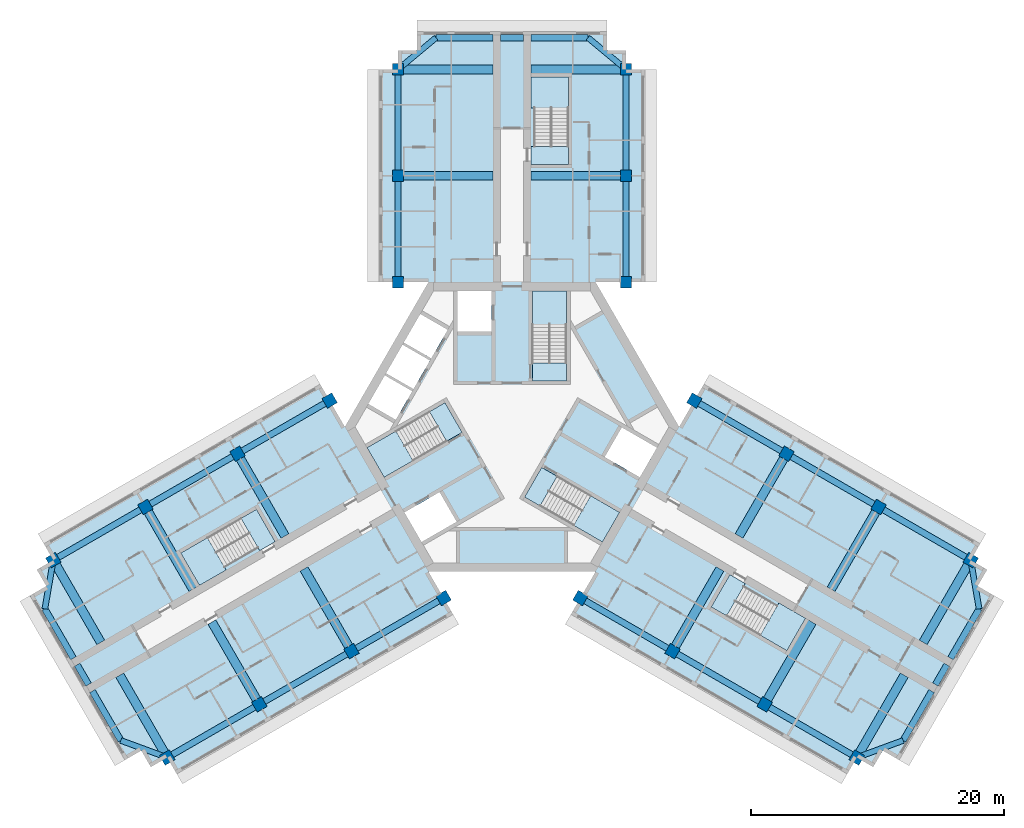
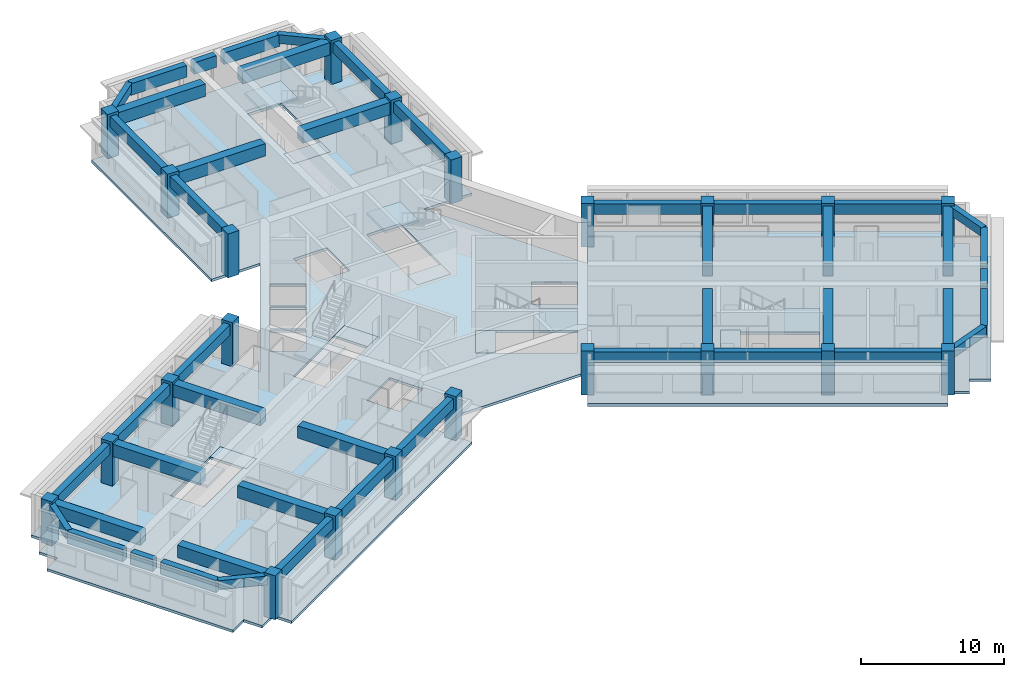
# One storey, part 1 of 11: 47 beams, 22 columns, 13 slabs, 6 elements without a shape of their own.
"""IFC4 building model written with IfcOpenShell, lengths in metres."""

from ifc_helpers import new_model, si_unit, direction, frame, origin, origin_2d, place, context, subcontext, project, spatial, polyline, rectangle, outline, extrude, material, layer, layer_set, material_profile, profile_set, type_object, element, aggregate, save


model = new_model("IFC4")

# Units and contexts
model_context = context("Model", 3, precision=1e-05, world=origin(), true_north=direction((0.0, 1.0)))
body_context = subcontext(model_context, "Body", "Model", "MODEL_VIEW")
ifc_project = project(units=[si_unit("LENGTHUNIT", "METRE"), si_unit("AREAUNIT", "SQUARE_METRE"), si_unit("VOLUMEUNIT", "CUBIC_METRE"), si_unit("PLANEANGLEUNIT", "RADIAN"), si_unit("MASSUNIT", "GRAM", prefix="KILO")], contexts=[model_context])

# Site, building, storey
site_placement = place(None, origin())
site = spatial("IfcSite", under=ifc_project, at=site_placement, CompositionType="ELEMENT")
building_placement = place(site_placement, origin())
building = spatial("IfcBuilding", under=site, at=building_placement, Name="Impinga Residences", CompositionType="ELEMENT")
storey_placement = place(building_placement, frame((0.0, 0.0, 199.75)))
storey = spatial("IfcBuildingStorey", under=building, at=storey_placement, Name="L49", CompositionType="ELEMENT", Elevation=199.75)

# Columns
ifc_material_1 = material(Name="Concrete C60/75", Category="concrete")
ifc_material_profile_1 = material_profile(ifc_material_1, rectangle(XDim=0.89990234375, YDim=0.89990234375, at=origin_2d()), Name="RC 900x900")
ifc_profile_set_1 = profile_set([ifc_material_profile_1], Name="Concrete C60/75")
column_type = type_object("IfcColumnType", Name="C4 900x900 column", PredefinedType="COLUMN", material=ifc_profile_set_1)
for number, where, z_axis, x_axis, name in (
    (1, (-9.0, 11.431640625, 0.0), (0.0, 0.0, 1.0), (1.0, 0.0, 0.0), "Column C4 N1/NA L49"),
    (2, (9.0, 11.431640625, 0.0), (0.0, 0.0, 1.0), (1.0, 0.0, 0.0), "Column C4 N1/NF L49"),
    (3, (-9.0, 19.83154296875, 0.0), (0.0, 0.0, 1.0), (1.0, 0.0, 0.0), "Column C4 N2/NA L49"),
    (4, (9.0, 19.83154296875, 0.0), (0.0, 0.0, 1.0), (1.0, 0.0, 0.0), "Column C4 N2/NF L49"),
    (5, (-9.0, 28.2314453125, 0.0), (0.0, 0.0, 1.0), (1.0, 0.0, 0.0), "Column C4 N3/NA L49"),
    (6, (9.0, 28.2314453125, 0.0), (0.0, 0.0, 1.0), (1.0, 0.0, 0.0), "Column C4 N3/NF L49"),
    (7, (-5.39990234375, -13.510009765625, 0.0), (0.0, 0.0, 1.0), (-0.5, 0.866025403784, 0.0), "Column C4 W1/WA L49"),
    (8, (-14.39990234375, 2.078369140625, 0.0), (0.0, 0.0, 1.0), (-0.5, 0.866025403784, 0.0), "Column C4 W1/WF L49"),
    (9, (-12.674560546875, -17.7099609375, 0.0), (0.0, 0.0, 1.0), (-0.5, 0.866025403784, 0.0), "Column C4 W2/WA L49"),
    (10, (-21.674560546875, -2.12158203125, 0.0), (0.0, 0.0, 1.0), (-0.5, 0.866025403784, 0.0), "Column C4 W2/WF L49"),
    (11, (-19.94921875, -21.909912109375, 0.0), (0.0, 0.0, 1.0), (-0.5, 0.866025403784, 0.0), "Column C4 W3/WA L49"),
    (12, (-28.94921875, -6.321533203125, 0.0), (0.0, 0.0, 1.0), (-0.5, 0.866025403784, 0.0), "Column C4 W3/WF L49"),
    (13, (-27.223876953125, -26.110107421875, 0.0), (0.0, 0.0, 1.0), (-0.5, 0.866025403784, 0.0), "Column C4 W4/WA L49"),
    (14, (-36.223876953125, -10.521484375, 0.0), (0.0, 0.0, 1.0), (-0.5, 0.866025403784, 0.0), "Column C4 W4/WF L49"),
    (15, (14.39990234375, 2.078369140625, 0.0), (0.0, 0.0, 1.0), (-0.5, -0.866025403784, 0.0), "Column C4 E1/EA L49"),
    (16, (5.39990234375, -13.510009765625, 0.0), (0.0, 0.0, 1.0), (-0.5, -0.866025403784, 0.0), "Column C4 E1/EF L49"),
    (17, (21.674560546875, -2.12158203125, 0.0), (0.0, 0.0, 1.0), (-0.5, -0.866025403784, 0.0), "Column C4 E2/EA L49"),
    (18, (12.674560546875, -17.7099609375, 0.0), (0.0, 0.0, 1.0), (-0.5, -0.866025403784, 0.0), "Column C4 E2/EF L49"),
    (19, (28.94921875, -6.321533203125, 0.0), (0.0, 0.0, 1.0), (-0.5, -0.866025403784, 0.0), "Column C4 E3/EA L49"),
    (20, (19.94921875, -21.909912109375, 0.0), (0.0, 0.0, 1.0), (-0.5, -0.866025403784, 0.0), "Column C4 E3/EF L49"),
    (21, (36.223876953125, -10.521484375, 0.0), (0.0, 0.0, 1.0), (-0.5, -0.866025403784, 0.0), "Column C4 E4/EA L49"),
    (22, (27.223876953125, -26.110107421875, 0.0), (0.0, 0.0, 1.0), (-0.5, -0.866025403784, 0.0), "Column C4 E4/EF L49"),
):
    element("IfcColumn", number, at=place(storey_placement, frame(where, z_axis=z_axis, x_axis=x_axis)), inside=storey, type_object=column_type, Name=name, PredefinedType="COLUMN", context=body_context, shape_type="SweptSolid", body=[
        extrude(rectangle(XDim=0.89990234375, YDim=0.89990234375, at=origin_2d()), origin(), (0.0, 0.0, 1.0), 3.75),
    ])

# Beams
ifc_material_profile_2 = material_profile(ifc_material_1, rectangle(XDim=0.449951171875, YDim=0.75, at=origin_2d()), Name="RC 450x750")
ifc_profile_set_2 = profile_set([ifc_material_profile_2], Name="Concrete C60/75")
beam_type_1 = type_object("IfcBeamType", Name="CB1 450x750 wing end cantilever beam", PredefinedType="BEAM", material=ifc_profile_set_2)
for number, where, z_axis, x_axis, name in (
    (23, (-9.0, 28.2314453125, 3.155029296875), (0.768221279597, 0.640184399664, 0.0), (-0.640184399664, 0.768221279597, 0.0), "Beam CB1 NB N3-NX level L50"),
    (24, (9.0, 28.2314453125, 3.155029296875), (-0.768221279597, 0.640184399664, 0.0), (-0.640184399664, -0.768221279597, 0.0), "Beam CB1 NE N3-NX level L50"),
    (25, (-27.223876953125, -26.110107421875, 3.155029296875), (-0.938520178725, 0.345224382289, 0.0), (-0.345224382289, -0.938520178725, 0.0), "Beam CB1 WB W4-WX level L50"),
):
    element("IfcBeam", number, at=place(storey_placement, frame(where, z_axis=z_axis, x_axis=x_axis)), inside=storey, type_object=beam_type_1, Name=name, PredefinedType="BEAM", context=body_context, shape_type="SweptSolid", body=[
        extrude(rectangle(XDim=0.449951171875, YDim=0.75, at=origin_2d()), origin(), (0.0, 0.0, 1.0), 3.905029296875),
    ])
for number, where, z_axis, x_axis, name in (
    (26, (-36.223876953125, -10.521484375, 3.155029296875), (-0.170296298948, -0.985392901621, 0.0), (0.985392901621, -0.170296298948, 0.0), "Beam CB1 WE W4-WX level L50"),
    (27, (36.223876953125, -10.521484375, 3.155029296875), (0.170296298948, -0.985392901621, 0.0), (0.985392901621, 0.170296298948, 0.0), "Beam CB1 EB E4-EX level L50"),
):
    element("IfcBeam", number, at=place(storey_placement, frame(where, z_axis=z_axis, x_axis=x_axis)), inside=storey, type_object=beam_type_1, Name=name, PredefinedType="BEAM", context=body_context, shape_type="SweptSolid", body=[
        extrude(rectangle(XDim=0.449951171875, YDim=0.75, at=origin_2d()), origin(), (0.0, 0.0, 1.0), 3.9052734375),
    ])
beam_1_placement = place(storey_placement, frame((27.223876953125, -26.110107421875, 3.155029296875), z_axis=(0.938520178725, 0.345224382289, 0.0), x_axis=(-0.345224382289, 0.938520178725, 0.0)))
element("IfcBeam", 28, at=beam_1_placement, inside=storey, type_object=beam_type_1, Name="Beam CB1 EE E4-EX level L50", PredefinedType="BEAM", context=body_context, shape_type="SweptSolid", body=[
    extrude(rectangle(XDim=0.449951171875, YDim=0.75, at=origin_2d()), origin(), (0.0, 0.0, 1.0), 3.905029296875),
])
ifc_material_profile_3 = material_profile(ifc_material_1, rectangle(XDim=0.699951171875, YDim=1.050048828125, at=origin_2d()), Name="RC 700x1050")
ifc_profile_set_3 = profile_set([ifc_material_profile_3], Name="Concrete C60/75")
beam_type_2 = type_object("IfcBeamType", Name="CG1 700x1050 cross girder on a wing bay line", PredefinedType="BEAM", material=ifc_profile_set_3)
for number, where, z_axis, x_axis, name in (
    (29, (-1.5, 19.83154296875, 3.0048828125), (-1.0, 0.0, 0.0), (0.0, -1.0, 0.0), "Beam CG1 N2 NC/NA level L50"),
    (30, (-1.5, 28.2314453125, 3.0048828125), (-1.0, 0.0, 0.0), (0.0, -1.0, 0.0), "Beam CG1 N3 NC/NA level L50"),
    (31, (1.5, 19.83154296875, 3.0048828125), (1.0, 0.0, 0.0), (0.0, 1.0, 0.0), "Beam CG1 N2 NC/NF level L50"),
    (32, (1.5, 28.2314453125, 3.0048828125), (1.0, 0.0, 0.0), (0.0, 1.0, 0.0), "Beam CG1 N3 NC/NF level L50"),
    (33, (-16.424560546875, -11.21484375, 3.0048828125), (0.500004234368, -0.866022959057, 0.0), (0.866022959057, 0.500004234368, 0.0), "Beam CG1 W2 WC/WA level L50"),
    (34, (-23.69921875, -15.414794921875, 3.0048828125), (0.500004234368, -0.866022959057, 0.0), (0.866022959057, 0.500004234368, 0.0), "Beam CG1 W3 WC/WA level L50"),
):
    element("IfcBeam", number, at=place(storey_placement, frame(where, z_axis=z_axis, x_axis=x_axis)), inside=storey, type_object=beam_type_2, Name=name, PredefinedType="BEAM", context=body_context, shape_type="SweptSolid", body=[
        extrude(rectangle(XDim=0.699951171875, YDim=1.050048828125, at=origin_2d()), origin(), (0.0, 0.0, 1.0), 7.5),
    ])
beam_2_placement = place(storey_placement, frame((-30.973876953125, -19.61474609375, 3.0048828125), z_axis=(0.499990139034, -0.866031096941, 0.0), x_axis=(0.866031096941, 0.499990139034, 0.0)))
element("IfcBeam", 35, at=beam_2_placement, inside=storey, type_object=beam_type_2, Name="Beam CG1 W4 WC/WA level L50", PredefinedType="BEAM", context=body_context, shape_type="SweptSolid", body=[
    extrude(rectangle(XDim=0.699951171875, YDim=1.050048828125, at=origin_2d()), origin(), (0.0, 0.0, 1.0), 7.500244140625),
])
for number, where, z_axis, x_axis, name in (
    (36, (-17.924560546875, -8.61669921875, 3.0048828125), (-0.500004234368, 0.866022959057, 0.0), (-0.866022959057, -0.500004234368, 0.0), "Beam CG1 W2 WC/WF level L50"),
    (37, (-25.19921875, -12.816650390625, 3.0048828125), (-0.500004234368, 0.866022959057, 0.0), (-0.866022959057, -0.500004234368, 0.0), "Beam CG1 W3 WC/WF level L50"),
):
    element("IfcBeam", number, at=place(storey_placement, frame(where, z_axis=z_axis, x_axis=x_axis)), inside=storey, type_object=beam_type_2, Name=name, PredefinedType="BEAM", context=body_context, shape_type="SweptSolid", body=[
        extrude(rectangle(XDim=0.699951171875, YDim=1.050048828125, at=origin_2d()), origin(), (0.0, 0.0, 1.0), 7.5),
    ])
beam_3_placement = place(storey_placement, frame((-32.473876953125, -17.016845703125, 3.0048828125), z_axis=(-0.499990139034, 0.866031096941, 0.0), x_axis=(-0.866031096941, -0.499990139034, 0.0)))
element("IfcBeam", 38, at=beam_3_placement, inside=storey, type_object=beam_type_2, Name="Beam CG1 W4 WC/WF level L50", PredefinedType="BEAM", context=body_context, shape_type="SweptSolid", body=[
    extrude(rectangle(XDim=0.699951171875, YDim=1.050048828125, at=origin_2d()), origin(), (0.0, 0.0, 1.0), 7.500244140625),
])
for number, where, z_axis, x_axis, name in (
    (39, (17.924560546875, -8.61669921875, 3.0048828125), (0.500004234368, 0.866022959057, 0.0), (-0.866022959057, 0.500004234368, 0.0), "Beam CG1 E2 EC/EA level L50"),
    (40, (25.19921875, -12.816650390625, 3.0048828125), (0.500004234368, 0.866022959057, 0.0), (-0.866022959057, 0.500004234368, 0.0), "Beam CG1 E3 EC/EA level L50"),
):
    element("IfcBeam", number, at=place(storey_placement, frame(where, z_axis=z_axis, x_axis=x_axis)), inside=storey, type_object=beam_type_2, Name=name, PredefinedType="BEAM", context=body_context, shape_type="SweptSolid", body=[
        extrude(rectangle(XDim=0.699951171875, YDim=1.050048828125, at=origin_2d()), origin(), (0.0, 0.0, 1.0), 7.5),
    ])
beam_4_placement = place(storey_placement, frame((32.473876953125, -17.016845703125, 3.0048828125), z_axis=(0.499990139034, 0.866031096941, 0.0), x_axis=(-0.866031096941, 0.499990139034, 0.0)))
element("IfcBeam", 41, at=beam_4_placement, inside=storey, type_object=beam_type_2, Name="Beam CG1 E4 EC/EA level L50", PredefinedType="BEAM", context=body_context, shape_type="SweptSolid", body=[
    extrude(rectangle(XDim=0.699951171875, YDim=1.050048828125, at=origin_2d()), origin(), (0.0, 0.0, 1.0), 7.500244140625),
])
for number, where, z_axis, x_axis, name in (
    (42, (16.424560546875, -11.21484375, 3.0048828125), (-0.500004234368, -0.866022959057, 0.0), (0.866022959057, -0.500004234368, 0.0), "Beam CG1 E2 EC/EF level L50"),
    (43, (23.69921875, -15.414794921875, 3.0048828125), (-0.500004234368, -0.866022959057, 0.0), (0.866022959057, -0.500004234368, 0.0), "Beam CG1 E3 EC/EF level L50"),
):
    element("IfcBeam", number, at=place(storey_placement, frame(where, z_axis=z_axis, x_axis=x_axis)), inside=storey, type_object=beam_type_2, Name=name, PredefinedType="BEAM", context=body_context, shape_type="SweptSolid", body=[
        extrude(rectangle(XDim=0.699951171875, YDim=1.050048828125, at=origin_2d()), origin(), (0.0, 0.0, 1.0), 7.5),
    ])
beam_5_placement = place(storey_placement, frame((30.973876953125, -19.61474609375, 3.0048828125), z_axis=(-0.499990139034, -0.866031096941, 0.0), x_axis=(0.866031096941, -0.499990139034, 0.0)))
element("IfcBeam", 44, at=beam_5_placement, inside=storey, type_object=beam_type_2, Name="Beam CG1 E4 EC/EF level L50", PredefinedType="BEAM", context=body_context, shape_type="SweptSolid", body=[
    extrude(rectangle(XDim=0.699951171875, YDim=1.050048828125, at=origin_2d()), origin(), (0.0, 0.0, 1.0), 7.500244140625),
])
ifc_material_profile_4 = material_profile(ifc_material_1, rectangle(XDim=0.5, YDim=1.0, at=origin_2d()), Name="RC 500x1000")
ifc_profile_set_4 = profile_set([ifc_material_profile_4], Name="Concrete C60/75")
beam_type_3 = type_object("IfcBeamType", Name="EB1 500x1000 wing end beam", PredefinedType="BEAM", material=ifc_profile_set_4)
beam_6_placement = place(storey_placement, frame((-6.0, 30.7314453125, 3.030029296875), z_axis=(1.0, 0.0, 0.0), x_axis=(0.0, 1.0, 0.0)))
element("IfcBeam", 45, at=beam_6_placement, inside=storey, type_object=beam_type_3, Name="Beam EB1 NX2 level L50", PredefinedType="BEAM", context=body_context, shape_type="SweptSolid", body=[
    extrude(rectangle(XDim=0.5, YDim=1.0, at=origin_2d()), origin(), (0.0, 0.0, 1.0), 4.5),
])
beam_7_placement = place(storey_placement, frame((-0.89990234375, 30.7314453125, 3.030029296875), z_axis=(1.0, 0.0, 0.0), x_axis=(0.0, 1.0, 0.0)))
element("IfcBeam", 46, at=beam_7_placement, inside=storey, type_object=beam_type_3, Name="Beam EB1 NX2 level L50", PredefinedType="BEAM", context=body_context, shape_type="SweptSolid", body=[
    extrude(rectangle(XDim=0.5, YDim=1.0, at=origin_2d()), origin(), (0.0, 0.0, 1.0), 1.7998046875),
])
for number, where, z_axis, x_axis, name in (
    (47, (1.5, 30.7314453125, 3.030029296875), (1.0, 0.0, 0.0), (0.0, 1.0, 0.0), "Beam EB1 NX2 level L50"),
    (48, (-30.888916015625, -24.761962890625, 3.030029296875), (-0.499990139034, 0.866031096941, 0.0), (-0.866031096941, -0.499990139034, 0.0), "Beam EB1 WX3 level L50"),
):
    element("IfcBeam", number, at=place(storey_placement, frame(where, z_axis=z_axis, x_axis=x_axis)), inside=storey, type_object=beam_type_3, Name=name, PredefinedType="BEAM", context=body_context, shape_type="SweptSolid", body=[
        extrude(rectangle(XDim=0.5, YDim=1.0, at=origin_2d()), origin(), (0.0, 0.0, 1.0), 4.5),
    ])
beam_8_placement = place(storey_placement, frame((-33.43896484375, -20.34521484375, 3.030029296875), z_axis=(-0.499961193289, 0.866047807691, 0.0), x_axis=(-0.866047807691, -0.499961193289, 0.0)))
element("IfcBeam", 49, at=beam_8_placement, inside=storey, type_object=beam_type_3, Name="Beam EB1 WX3 level L50", PredefinedType="BEAM", context=body_context, shape_type="SweptSolid", body=[
    extrude(rectangle(XDim=0.5, YDim=1.0, at=origin_2d()), origin(), (0.0, 0.0, 1.0), 1.800048828125),
])
for number, where, z_axis, x_axis, name in (
    (50, (-34.638916015625, -18.266845703125, 3.030029296875), (-0.499990139034, 0.866031096941, 0.0), (-0.866031096941, -0.499990139034, 0.0), "Beam EB1 WX3 level L50"),
    (51, (36.888916015625, -14.36962890625, 3.030029296875), (-0.499990139034, -0.866031096941, 0.0), (0.866031096941, -0.499990139034, 0.0), "Beam EB1 EX3 level L50"),
):
    element("IfcBeam", number, at=place(storey_placement, frame(where, z_axis=z_axis, x_axis=x_axis)), inside=storey, type_object=beam_type_3, Name=name, PredefinedType="BEAM", context=body_context, shape_type="SweptSolid", body=[
        extrude(rectangle(XDim=0.5, YDim=1.0, at=origin_2d()), origin(), (0.0, 0.0, 1.0), 4.5),
    ])
beam_9_placement = place(storey_placement, frame((34.3388671875, -18.786376953125, 3.030029296875), z_axis=(-0.499961193289, -0.866047807691, 0.0), x_axis=(0.866047807691, -0.499961193289, 0.0)))
element("IfcBeam", 52, at=beam_9_placement, inside=storey, type_object=beam_type_3, Name="Beam EB1 EX3 level L50", PredefinedType="BEAM", context=body_context, shape_type="SweptSolid", body=[
    extrude(rectangle(XDim=0.5, YDim=1.0, at=origin_2d()), origin(), (0.0, 0.0, 1.0), 1.800048828125),
])
beam_10_placement = place(storey_placement, frame((33.138916015625, -20.86474609375, 3.030029296875), z_axis=(-0.499990139034, -0.866031096941, 0.0), x_axis=(0.866031096941, -0.499990139034, 0.0)))
element("IfcBeam", 53, at=beam_10_placement, inside=storey, type_object=beam_type_3, Name="Beam EB1 EX3 level L50", PredefinedType="BEAM", context=body_context, shape_type="SweptSolid", body=[
    extrude(rectangle(XDim=0.5, YDim=1.0, at=origin_2d()), origin(), (0.0, 0.0, 1.0), 4.5),
])
ifc_material_profile_5 = material_profile(ifc_material_1, rectangle(XDim=0.5, YDim=0.89990234375, at=origin_2d()), Name="RC 500x900")
ifc_profile_set_5 = profile_set([ifc_material_profile_5], Name="Concrete C60/75")
beam_type_4 = type_object("IfcBeamType", Name="SB1 500x900 perimeter spandrel beam", PredefinedType="SPANDREL", material=ifc_profile_set_5)
for number, where, z_axis, x_axis, name in (
    (54, (-9.0, 11.431640625, 3.080078125), (0.0, 1.0, 0.0), (-1.0, 0.0, 0.0), "Beam SB1 NA N1-N2 level L50"),
    (55, (-9.0, 19.83154296875, 3.080078125), (0.0, 1.0, 0.0), (-1.0, 0.0, 0.0), "Beam SB1 NA N2-N3 level L50"),
    (56, (9.0, 11.431640625, 3.080078125), (0.0, 1.0, 0.0), (-1.0, 0.0, 0.0), "Beam SB1 NF N1-N2 level L50"),
    (57, (9.0, 19.83154296875, 3.080078125), (0.0, 1.0, 0.0), (-1.0, 0.0, 0.0), "Beam SB1 NF N2-N3 level L50"),
    (58, (-5.39990234375, -13.510009765625, 3.080078125), (-0.86602925447, -0.499993330357, 0.0), (0.499993330357, -0.86602925447, 0.0), "Beam SB1 WA W1-W2 level L50"),
    (59, (-12.674560546875, -17.7099609375, 3.080078125), (-0.86602925447, -0.499993330357, 0.0), (0.499993330357, -0.86602925447, 0.0), "Beam SB1 WA W2-W3 level L50"),
):
    element("IfcBeam", number, at=place(storey_placement, frame(where, z_axis=z_axis, x_axis=x_axis)), inside=storey, type_object=beam_type_4, Name=name, PredefinedType="SPANDREL", context=body_context, shape_type="SweptSolid", body=[
        extrude(rectangle(XDim=0.5, YDim=0.89990234375, at=origin_2d()), origin(), (0.0, 0.0, 1.0), 8.39990234375),
    ])
beam_11_placement = place(storey_placement, frame((-19.94921875, -21.909912109375, 3.080078125), z_axis=(-0.866016669275, -0.500015128309, 0.0), x_axis=(0.500015128309, -0.866016669275, 0.0)))
element("IfcBeam", 60, at=beam_11_placement, inside=storey, type_object=beam_type_4, Name="Beam SB1 WA W3-W4 level L50", PredefinedType="SPANDREL", context=body_context, shape_type="SweptSolid", body=[
    extrude(rectangle(XDim=0.5, YDim=0.89990234375, at=origin_2d()), origin(), (0.0, 0.0, 1.0), 8.400146484375),
])
for number, where, z_axis, x_axis, name in (
    (61, (-14.39990234375, 2.078369140625, 3.080078125), (-0.86602925447, -0.499993330357, 0.0), (0.499993330357, -0.86602925447, 0.0), "Beam SB1 WF W1-W2 level L50"),
    (62, (-21.674560546875, -2.12158203125, 3.080078125), (-0.86602925447, -0.499993330357, 0.0), (0.499993330357, -0.86602925447, 0.0), "Beam SB1 WF W2-W3 level L50"),
    (63, (-28.94921875, -6.321533203125, 3.080078125), (-0.86602925447, -0.499993330357, 0.0), (0.499993330357, -0.86602925447, 0.0), "Beam SB1 WF W3-W4 level L50"),
    (64, (14.39990234375, 2.078369140625, 3.080078125), (0.86602925447, -0.499993330357, 0.0), (0.499993330357, 0.86602925447, 0.0), "Beam SB1 EA E1-E2 level L50"),
    (65, (21.674560546875, -2.12158203125, 3.080078125), (0.86602925447, -0.499993330357, 0.0), (0.499993330357, 0.86602925447, 0.0), "Beam SB1 EA E2-E3 level L50"),
    (66, (28.94921875, -6.321533203125, 3.080078125), (0.86602925447, -0.499993330357, 0.0), (0.499993330357, 0.86602925447, 0.0), "Beam SB1 EA E3-E4 level L50"),
    (67, (5.39990234375, -13.510009765625, 3.080078125), (0.86602925447, -0.499993330357, 0.0), (0.499993330357, 0.86602925447, 0.0), "Beam SB1 EF E1-E2 level L50"),
    (68, (12.674560546875, -17.7099609375, 3.080078125), (0.86602925447, -0.499993330357, 0.0), (0.499993330357, 0.86602925447, 0.0), "Beam SB1 EF E2-E3 level L50"),
):
    element("IfcBeam", number, at=place(storey_placement, frame(where, z_axis=z_axis, x_axis=x_axis)), inside=storey, type_object=beam_type_4, Name=name, PredefinedType="SPANDREL", context=body_context, shape_type="SweptSolid", body=[
        extrude(rectangle(XDim=0.5, YDim=0.89990234375, at=origin_2d()), origin(), (0.0, 0.0, 1.0), 8.39990234375),
    ])
beam_12_placement = place(storey_placement, frame((19.94921875, -21.909912109375, 3.080078125), z_axis=(0.866016669275, -0.500015128309, 0.0), x_axis=(0.500015128309, 0.866016669275, 0.0)))
element("IfcBeam", 69, at=beam_12_placement, inside=storey, type_object=beam_type_4, Name="Beam SB1 EF E3-E4 level L50", PredefinedType="SPANDREL", context=body_context, shape_type="SweptSolid", body=[
    extrude(rectangle(XDim=0.5, YDim=0.89990234375, at=origin_2d()), origin(), (0.0, 0.0, 1.0), 8.400146484375),
])

# Slab
ifc_layer_1 = layer(ifc_material_1, 0.219970703125)
ifc_layer_set_1 = layer_set([ifc_layer_1], Name="Concrete C60/75")
slab_type_1 = type_object("IfcSlabType", Name="FS1 tower floor slab 220", PredefinedType="FLOOR", material=ifc_layer_set_1)
slab_1_placement = place(storey_placement, frame((0.0, 0.0, -0.219970703125)))
element("IfcSlab", 70, at=slab_1_placement, inside=storey, type_object=slab_type_1, Name="Floor slab FS1 L49", PredefinedType="FLOOR", context=body_context, shape_type="SweptSolid", body=[
    extrude(outline(polyline([(-27.223876953125, -26.110107421875), (-28.52294921875, -26.860107421875), (-29.27294921875, -25.56103515625), (-30.572021484375, -26.31103515625), (-38.072021484375, -13.320556640625), (-36.77294921875, -12.570556640625), (-37.52294921875, -11.271484375), (-36.223876953125, -10.521484375), (-36.973876953125, -9.222412109375), (-15.14990234375, 3.37744140625), (-13.199951171875, 0.0), (-6.60009765625, 11.431640625), (-10.5, 11.431640625), (-10.5, 28.2314453125), (-9.0, 28.2314453125), (-9.0, 29.7314453125), (-7.5, 29.7314453125), (-7.5, 31.2314453125), (7.5, 31.2314453125), (7.5, 29.7314453125), (9.0, 29.7314453125), (9.0, 28.2314453125), (10.5, 28.2314453125), (10.5, 11.431640625), (6.60009765625, 11.431640625), (13.199951171875, 0.0), (15.14990234375, 3.37744140625), (36.973876953125, -9.222412109375), (36.223876953125, -10.521484375), (37.52294921875, -11.271484375), (36.77294921875, -12.570556640625), (38.072021484375, -13.320556640625), (30.572021484375, -26.31103515625), (29.27294921875, -25.56103515625), (28.52294921875, -26.860107421875), (27.223876953125, -26.110107421875), (26.473876953125, -27.408935546875), (4.64990234375, -14.80908203125), (9.900146484375, -5.7158203125), (6.60009765625, -11.431640625), (-6.60009765625, -11.431640625), (-9.900146484375, -5.7158203125), (-4.64990234375, -14.80908203125), (-26.473876953125, -27.408935546875), (-27.223876953125, -26.110107421875)]), holes=[polyline([(-18.7041015625, -9.066650390625), (-18.8291015625, -8.850341796875), (-18.8291015625, -8.850341796875), (-20.178955078125, -6.511962890625), (-21.391357421875, -7.2119140625), (-21.391357421875, -7.2119140625), (-26.154541015625, -9.9619140625), (-24.8046875, -12.30029296875), (-20.04150390625, -9.55029296875), (-19.91650390625, -9.766845703125), (-18.7041015625, -9.066650390625)]), polyline([(-5.72119140625, -5.150634765625), (-8.493896484375, -6.75146484375), (-7.143798828125, -9.089599609375), (-4.37109375, -7.489013671875), (-5.72119140625, -5.150634765625)]), polyline([(-5.293701171875, 1.908935546875), (-11.44384765625, -1.641845703125), (-10.09375, -3.980224609375), (-3.943603515625, -0.429443359375), (-5.293701171875, 1.908935546875)]), polyline([(-7.878662109375, 2.816650390625), (-10.043701171875, 4.066650390625), (-11.34375, 1.81494140625), (-9.1787109375, 0.56494140625), (-7.878662109375, 2.816650390625)]), polyline([(-6.478759765625, 5.24169921875), (-8.643798828125, 6.49169921875), (-9.94384765625, 4.239990234375), (-7.77880859375, 2.989990234375), (-6.478759765625, 5.24169921875)]), polyline([(-6.378662109375, 5.414794921875), (-5.07861328125, 7.66650390625), (-7.243896484375, 8.91650390625), (-8.543701171875, 6.664794921875), (-6.378662109375, 5.414794921875)]), polyline([(-4.300048828125, 7.530029296875), (-1.60009765625, 7.530029296875), (-1.60009765625, 10.7314453125), (-4.300048828125, 10.7314453125), (-4.300048828125, 7.530029296875)]), polyline([(15.72900390625, -14.219482421875), (21.70458984375, -17.669677734375), (23.0546875, -15.331298828125), (18.29150390625, -12.581298828125), (18.41650390625, -12.36474609375), (17.2041015625, -11.664794921875), (15.72900390625, -14.219482421875)]), polyline([(0.99365234375, -5.538818359375), (7.143798828125, -9.089599609375), (8.493896484375, -6.75146484375), (2.34375, -3.20068359375), (0.99365234375, -5.538818359375)]), polyline([(7.3212890625, -2.37939453125), (10.09375, -3.980224609375), (11.44384765625, -1.641845703125), (8.671142578125, -0.041015625), (7.3212890625, -2.37939453125)]), polyline([(4.300048828125, 3.6298828125), (4.300048828125, 10.7314453125), (1.60009765625, 10.7314453125), (1.60009765625, 3.6298828125), (4.300048828125, 3.6298828125)]), polyline([(1.75, 22.131591796875), (1.5, 22.131591796875), (1.5, 20.7314453125), (1.75, 20.7314453125), (4.449951171875, 20.7314453125), (4.449951171875, 22.131591796875), (4.449951171875, 27.631591796875), (1.75, 27.631591796875), (1.75, 22.131591796875)])]), origin(), (0.0, 0.0, 1.0), 0.219970703125),
])

# Stair, slabs
ifc_material_2 = material(Name="Concrete C40/50", Category="concrete")
stair_type_1 = type_object("IfcStairType", Name="STR core stair 3750 storey, 24 risers", PredefinedType="HALF_TURN_STAIR", material=ifc_material_2)
stair_1_placement = place(storey_placement, origin())
stair_1 = element("IfcStair", 71, at=stair_1_placement, inside=storey, type_object=stair_type_1, Name="Stair ST1 L49", PredefinedType="HALF_TURN_STAIR")
ifc_layer_2 = layer(ifc_material_2, 0.199951171875)
ifc_layer_set_2 = layer_set([ifc_layer_2], Name="Concrete C40/50")
slab_type_2 = type_object("IfcSlabType", Name="LS1 stair landing 200", PredefinedType="LANDING", material=ifc_layer_set_2)
slab_2_placement = place(storey_placement, frame((0.0, 0.0, -0.199951171875)))
slab_2 = element("IfcSlab", 72, at=slab_2_placement, type_object=slab_type_2, Name="ST1 landing 1", PredefinedType="LANDING", context=body_context, shape_type="SweptSolid", body=[
    extrude(outline(polyline([(1.60009765625, 3.6298828125), (4.300048828125, 3.6298828125), (4.300048828125, 5.0400390625), (1.60009765625, 5.0400390625), (1.60009765625, 3.6298828125)])), origin(), (0.0, 0.0, 1.0), 0.199951171875),
])
slab_3_placement = place(storey_placement, frame((0.0, 0.0, 1.675048828125)))
slab_3 = element("IfcSlab", 73, at=slab_3_placement, type_object=slab_type_2, Name="ST1 landing 2", PredefinedType="LANDING", context=body_context, shape_type="SweptSolid", body=[
    extrude(outline(polyline([(1.60009765625, 8.10009765625), (4.300048828125, 8.10009765625), (4.300048828125, 10.7314453125), (1.60009765625, 10.7314453125), (1.60009765625, 8.10009765625)])), origin(), (0.0, 0.0, 1.0), 0.199951171875),
])
aggregate(stair_1, [slab_2, slab_3])

stair_2_placement = place(storey_placement, origin())
stair_2 = element("IfcStair", 74, at=stair_2_placement, inside=storey, type_object=stair_type_1, Name="Stair ST2 L49", PredefinedType="HALF_TURN_STAIR")
slab_4_placement = place(storey_placement, frame((0.0, 0.0, -0.199951171875)))
slab_4 = element("IfcSlab", 75, at=slab_4_placement, type_object=slab_type_2, Name="ST2 landing 1", PredefinedType="LANDING", context=body_context, shape_type="SweptSolid", body=[
    extrude(outline(polyline([(-3.943603515625, -0.429443359375), (-5.293701171875, 1.908935546875), (-6.5146484375, 1.203857421875), (-5.164794921875, -1.13427734375), (-3.943603515625, -0.429443359375)])), origin(), (0.0, 0.0, 1.0), 0.199951171875),
])
slab_5_placement = place(storey_placement, frame((0.0, 0.0, 1.675048828125)))
slab_5 = element("IfcSlab", 76, at=slab_5_placement, type_object=slab_type_2, Name="ST2 landing 2", PredefinedType="LANDING", context=body_context, shape_type="SweptSolid", body=[
    extrude(outline(polyline([(-7.814697265625, -2.664306640625), (-9.164794921875, -0.326171875), (-11.44384765625, -1.641845703125), (-10.09375, -3.980224609375), (-7.814697265625, -2.664306640625)])), origin(), (0.0, 0.0, 1.0), 0.199951171875),
])
aggregate(stair_2, [slab_4, slab_5])

stair_3_placement = place(storey_placement, origin())
stair_3 = element("IfcStair", 77, at=stair_3_placement, inside=storey, type_object=stair_type_1, Name="Stair ST3 L49", PredefinedType="HALF_TURN_STAIR")
slab_6_placement = place(storey_placement, frame((0.0, 0.0, -0.199951171875)))
slab_6 = element("IfcSlab", 78, at=slab_6_placement, type_object=slab_type_2, Name="ST3 landing 1", PredefinedType="LANDING", context=body_context, shape_type="SweptSolid", body=[
    extrude(outline(polyline([(2.34375, -3.20068359375), (0.99365234375, -5.538818359375), (2.21484375, -6.243896484375), (3.564697265625, -3.90576171875), (2.34375, -3.20068359375)])), origin(), (0.0, 0.0, 1.0), 0.199951171875),
])
slab_7_placement = place(storey_placement, frame((0.0, 0.0, 1.675048828125)))
slab_7 = element("IfcSlab", 79, at=slab_7_placement, type_object=slab_type_2, Name="ST3 landing 2", PredefinedType="LANDING", context=body_context, shape_type="SweptSolid", body=[
    extrude(outline(polyline([(6.21484375, -5.435546875), (4.86474609375, -7.77392578125), (7.143798828125, -9.089599609375), (8.493896484375, -6.75146484375), (6.21484375, -5.435546875)])), origin(), (0.0, 0.0, 1.0), 0.199951171875),
])
aggregate(stair_3, [slab_6, slab_7])

stair_type_2 = type_object("IfcStairType", Name="STR wing stair 3750 storey, 24 risers", PredefinedType="HALF_TURN_STAIR", material=ifc_material_2)
stair_4_placement = place(storey_placement, origin())
stair_4 = element("IfcStair", 80, at=stair_4_placement, inside=storey, type_object=stair_type_2, Name="Stair WS1 L49", PredefinedType="HALF_TURN_STAIR")
slab_8_placement = place(storey_placement, frame((0.0, 0.0, -0.199951171875)))
slab_8 = element("IfcSlab", 81, at=slab_8_placement, type_object=slab_type_2, Name="WS1 landing 1", PredefinedType="LANDING", context=body_context, shape_type="SweptSolid", body=[
    extrude(outline(polyline([(1.5, 20.7314453125), (4.449951171875, 20.7314453125), (4.449951171875, 22.1416015625), (1.5, 22.1416015625), (1.5, 20.7314453125)])), origin(), (0.0, 0.0, 1.0), 0.199951171875),
])
slab_9_placement = place(storey_placement, frame((0.0, 0.0, 1.675048828125)))
slab_9 = element("IfcSlab", 82, at=slab_9_placement, type_object=slab_type_2, Name="WS1 landing 2", PredefinedType="LANDING", context=body_context, shape_type="SweptSolid", body=[
    extrude(outline(polyline([(1.5, 25.201416015625), (4.449951171875, 25.201416015625), (4.449951171875, 27.631591796875), (1.5, 27.631591796875), (1.5, 25.201416015625)])), origin(), (0.0, 0.0, 1.0), 0.199951171875),
])
aggregate(stair_4, [slab_8, slab_9])

stair_5_placement = place(storey_placement, origin())
stair_5 = element("IfcStair", 83, at=stair_5_placement, inside=storey, type_object=stair_type_2, Name="Stair WS2 L49", PredefinedType="HALF_TURN_STAIR")
slab_10_placement = place(storey_placement, frame((0.0, 0.0, -0.199951171875)))
slab_10 = element("IfcSlab", 84, at=slab_10_placement, type_object=slab_type_2, Name="WS2 landing 1", PredefinedType="LANDING", context=body_context, shape_type="SweptSolid", body=[
    extrude(outline(polyline([(-18.7041015625, -9.066650390625), (-20.178955078125, -6.511962890625), (-21.400146484375, -7.217041015625), (-19.925048828125, -9.771728515625), (-18.7041015625, -9.066650390625)])), origin(), (0.0, 0.0, 1.0), 0.199951171875),
])
slab_11_placement = place(storey_placement, frame((0.0, 0.0, 1.675048828125)))
slab_11 = element("IfcSlab", 85, at=slab_11_placement, type_object=slab_type_2, Name="WS2 landing 2", PredefinedType="LANDING", context=body_context, shape_type="SweptSolid", body=[
    extrude(outline(polyline([(-22.5751953125, -11.3017578125), (-24.050048828125, -8.7470703125), (-26.154541015625, -9.9619140625), (-24.6796875, -12.516845703125), (-22.5751953125, -11.3017578125)])), origin(), (0.0, 0.0, 1.0), 0.199951171875),
])
aggregate(stair_5, [slab_10, slab_11])

stair_6_placement = place(storey_placement, origin())
stair_6 = element("IfcStair", 86, at=stair_6_placement, inside=storey, type_object=stair_type_2, Name="Stair WS3 L49", PredefinedType="HALF_TURN_STAIR")
slab_12_placement = place(storey_placement, frame((0.0, 0.0, -0.199951171875)))
slab_12 = element("IfcSlab", 87, at=slab_12_placement, type_object=slab_type_2, Name="WS3 landing 1", PredefinedType="LANDING", context=body_context, shape_type="SweptSolid", body=[
    extrude(outline(polyline([(17.2041015625, -11.664794921875), (15.72900390625, -14.219482421875), (16.9501953125, -14.924560546875), (18.425048828125, -12.369873046875), (17.2041015625, -11.664794921875)])), origin(), (0.0, 0.0, 1.0), 0.199951171875),
])
slab_13_placement = place(storey_placement, frame((0.0, 0.0, 1.675048828125)))
slab_13 = element("IfcSlab", 88, at=slab_13_placement, type_object=slab_type_2, Name="WS3 landing 2", PredefinedType="LANDING", context=body_context, shape_type="SweptSolid", body=[
    extrude(outline(polyline([(21.0751953125, -13.89990234375), (19.60009765625, -16.45458984375), (21.70458984375, -17.669677734375), (23.1796875, -15.11474609375), (21.0751953125, -13.89990234375)])), origin(), (0.0, 0.0, 1.0), 0.199951171875),
])
aggregate(stair_6, [slab_12, slab_13])

save(model, "model.ifc")
